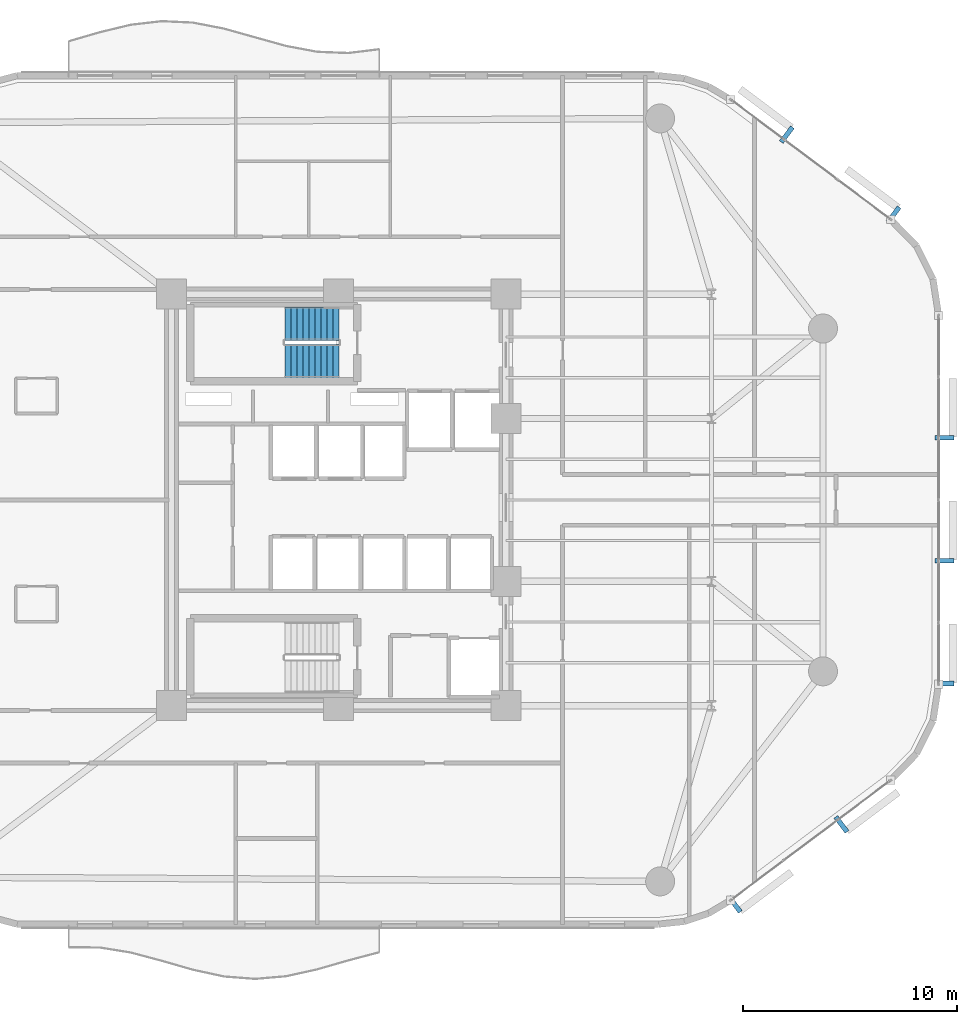
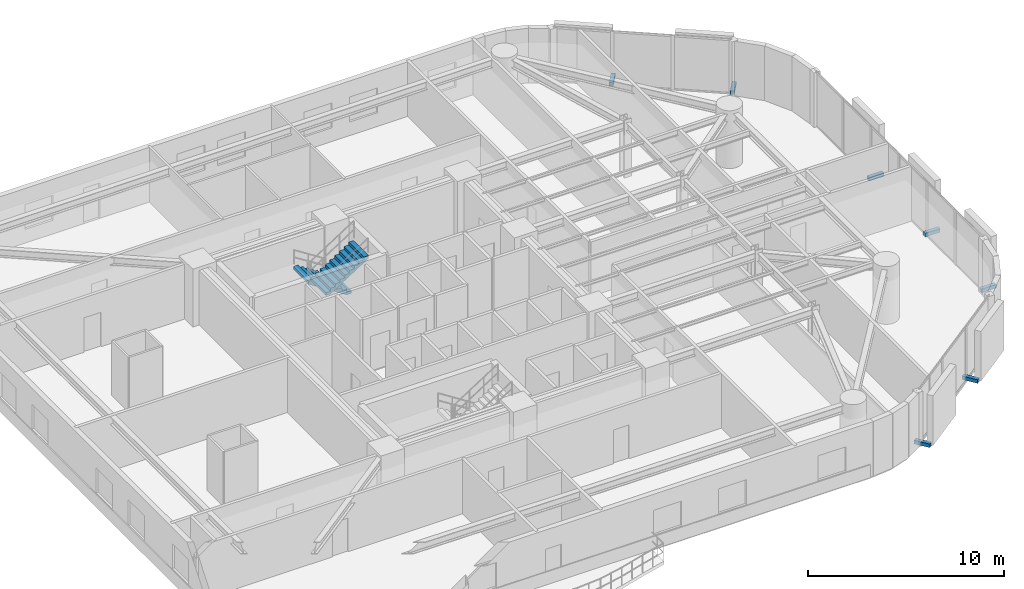
# One storey, part 13 of 16: 7 discrete accessories, 2 stair flights, 1 element without a shape of its own.
"""IFC4 building model written with IfcOpenShell, lengths in metres."""

from ifc_helpers import new_model, si_unit, direction, frame, origin, origin_2d, place, context, subcontext, project, spatial, polyline, rectangle, outline, extrude, material, type_object, element, aggregate, save


model = new_model("IFC4")

# Units and contexts
model_context = context("Model", 3, precision=1e-05, world=origin(), true_north=direction((0.0, 1.0)))
body_context = subcontext(model_context, "Body", "Model", "MODEL_VIEW")
ifc_project = project(units=[si_unit("LENGTHUNIT", "METRE"), si_unit("AREAUNIT", "SQUARE_METRE"), si_unit("VOLUMEUNIT", "CUBIC_METRE"), si_unit("PLANEANGLEUNIT", "RADIAN"), si_unit("MASSUNIT", "GRAM", prefix="KILO")], contexts=[model_context])

# Site, building, storey
site_placement = place(None, origin())
site = spatial("IfcSite", under=ifc_project, at=site_placement, CompositionType="ELEMENT")
building_placement = place(site_placement, origin())
building = spatial("IfcBuilding", under=site, at=building_placement, Name="An Khanh Terracotta Commons", CompositionType="ELEMENT")
storey_placement = place(building_placement, frame((0.0, 0.0, 111.5)))
storey = spatial("IfcBuildingStorey", under=building, at=storey_placement, Name="L29", CompositionType="ELEMENT", Elevation=111.5)

# Stair, stair flights
ifc_material_1 = material(Name="Precast concrete C40/50", Category="concrete")
stair_type = type_object("IfcStairType", Name="STAIR-CORE-1550", PredefinedType="HALF_TURN_STAIR", material=ifc_material_1)
stair_placement = place(storey_placement, origin())
stair = element("IfcStair", 1, at=stair_placement, inside=storey, type_object=stair_type, Name="L29 Core Smokeproof Exit Stair ST-01", PredefinedType="HALF_TURN_STAIR")
stair_flight_type = type_object("IfcStairFlightType", Name="FLIGHT-CORE-1550", PredefinedType="STRAIGHT", material=ifc_material_1)
stair_flight_1_placement = place(storey_placement, frame((29.409912109375, 32.22509765625, 0.0), z_axis=(0.0, 0.0, 1.0), x_axis=(-1.0, 0.0, 0.0)))
stair_flight_1 = element("IfcStairFlight", 2, at=stair_flight_1_placement, type_object=stair_flight_type, Name="ST-01 flight 1", NumberOfRisers=10, NumberOfTreads=9, PredefinedType="STRAIGHT", RiserHeight=0.18, TreadLength=0.28, context=body_context, shape_type="SweptSolid", body=[
    extrude(outline(polyline([(0.0, 0.0), (0.0, 0.179931640625), (0.280029296875, 0.179931640625), (0.280029296875, 0.360107421875), (0.56005859375, 0.360107421875), (0.56005859375, 0.5400390625), (0.840087890625, 0.5400390625), (0.840087890625, 0.719970703125), (1.1201171875, 0.719970703125), (1.1201171875, 0.89990234375), (1.39990234375, 0.89990234375), (1.39990234375, 1.080078125), (1.679931640625, 1.080078125), (1.679931640625, 1.260009765625), (1.9599609375, 1.260009765625), (1.9599609375, 1.43994140625), (2.239990234375, 1.43994140625), (2.239990234375, 1.6201171875), (2.52001953125, 1.6201171875), (2.52001953125, 1.800048828125), (2.52001953125, 1.44189453125), (0.277099609375, 0.0), (0.0, 0.0)])), frame((0.0, 0.77490234375, 0.0), z_axis=(0.0, -1.0, 0.0), x_axis=(1.0, 0.0, 0.0)), (0.0, 0.0, 1.0), 1.550048828125),
])
stair_flight_2_placement = place(storey_placement, frame((26.889892578125, 30.47509765625, 1.800048828125), z_axis=(0.0, 0.0, 1.0), x_axis=(1.0, 0.0, 0.0)))
stair_flight_2 = element("IfcStairFlight", 3, at=stair_flight_2_placement, type_object=stair_flight_type, Name="ST-01 flight 2", NumberOfRisers=10, NumberOfTreads=9, PredefinedType="STRAIGHT", RiserHeight=0.18, TreadLength=0.28, context=body_context, shape_type="SweptSolid", body=[
    extrude(outline(polyline([(0.0, 0.0), (0.0, 0.179931640625), (0.280029296875, 0.179931640625), (0.280029296875, 0.360107421875), (0.56005859375, 0.360107421875), (0.56005859375, 0.5400390625), (0.840087890625, 0.5400390625), (0.840087890625, 0.719970703125), (1.1201171875, 0.719970703125), (1.1201171875, 0.89990234375), (1.39990234375, 0.89990234375), (1.39990234375, 1.080078125), (1.679931640625, 1.080078125), (1.679931640625, 1.260009765625), (1.9599609375, 1.260009765625), (1.9599609375, 1.43994140625), (2.239990234375, 1.43994140625), (2.239990234375, 1.6201171875), (2.52001953125, 1.6201171875), (2.52001953125, 1.800048828125), (2.52001953125, 1.44189453125), (0.277099609375, 0.0), (0.0, 0.0)])), frame((0.0, 0.77490234375, 0.0), z_axis=(0.0, -1.0, 0.0), x_axis=(1.0, 0.0, 0.0)), (0.0, 0.0, 1.0), 1.550048828125),
])
aggregate(stair, [stair_flight_1, stair_flight_2])

# Discrete accessories
ifc_material_2 = material(Name="Stainless Steel Grade 316L", Category="steel")
discrete_accessory_type = type_object("IfcDiscreteAccessoryType", Name="Stainless Outrigger Facade Bracket", PredefinedType="BRACKET", material=ifc_material_2)
for number, where, z_axis, x_axis, name in (
    (4, (47.8798828125, 5.12890625, 0.06982421875), (0.0, 0.0, 1.0), (0.800012856594, 0.599982857492, 0.0), "L29 Terracotta Screen Outrigger Bracket 1"),
    (5, (52.85791015625, 8.862060546875, 0.06982421875), (0.0, 0.0, 1.0), (0.800012856594, 0.599982857492, 0.0), "L29 Terracotta Screen Outrigger Bracket 3"),
    (6, (57.6650390625, 15.43505859375, 0.06982421875), (0.0, 0.0, 1.0), (0.0, 1.0, 0.0), "L29 Terracotta Screen Outrigger Bracket 1"),
    (7, (57.6650390625, 21.16796875, 0.06982421875), (0.0, 0.0, 1.0), (0.0, 1.0, 0.0), "L29 Terracotta Screen Outrigger Bracket 3"),
    (8, (57.6650390625, 26.902099609375, 0.06982421875), (0.0, 0.0, 1.0), (0.0, 1.0, 0.0), "L29 Terracotta Screen Outrigger Bracket 5"),
    (9, (55.291015625, 37.31298828125, 0.06982421875), (0.0, 0.0, 1.0), (-0.800012856594, 0.599982857492, 0.0), "L29 Terracotta Screen Outrigger Bracket 1"),
    (10, (50.31298828125, 41.0458984375, 0.06982421875), (0.0, 0.0, 1.0), (-0.800012856594, 0.599982857492, 0.0), "L29 Terracotta Screen Outrigger Bracket 3"),
):
    element("IfcDiscreteAccessory", number, at=place(storey_placement, frame(where, z_axis=z_axis, x_axis=x_axis)), inside=storey, type_object=discrete_accessory_type, Name=name, PredefinedType="BRACKET", context=body_context, shape_type="SweptSolid", body=[
        extrude(rectangle(XDim=0.219970703125, YDim=0.8701171875, at=origin_2d()), origin(), (0.0, 0.0, 1.0), 0.219970703125),
    ])

save(model, "model.ifc")
